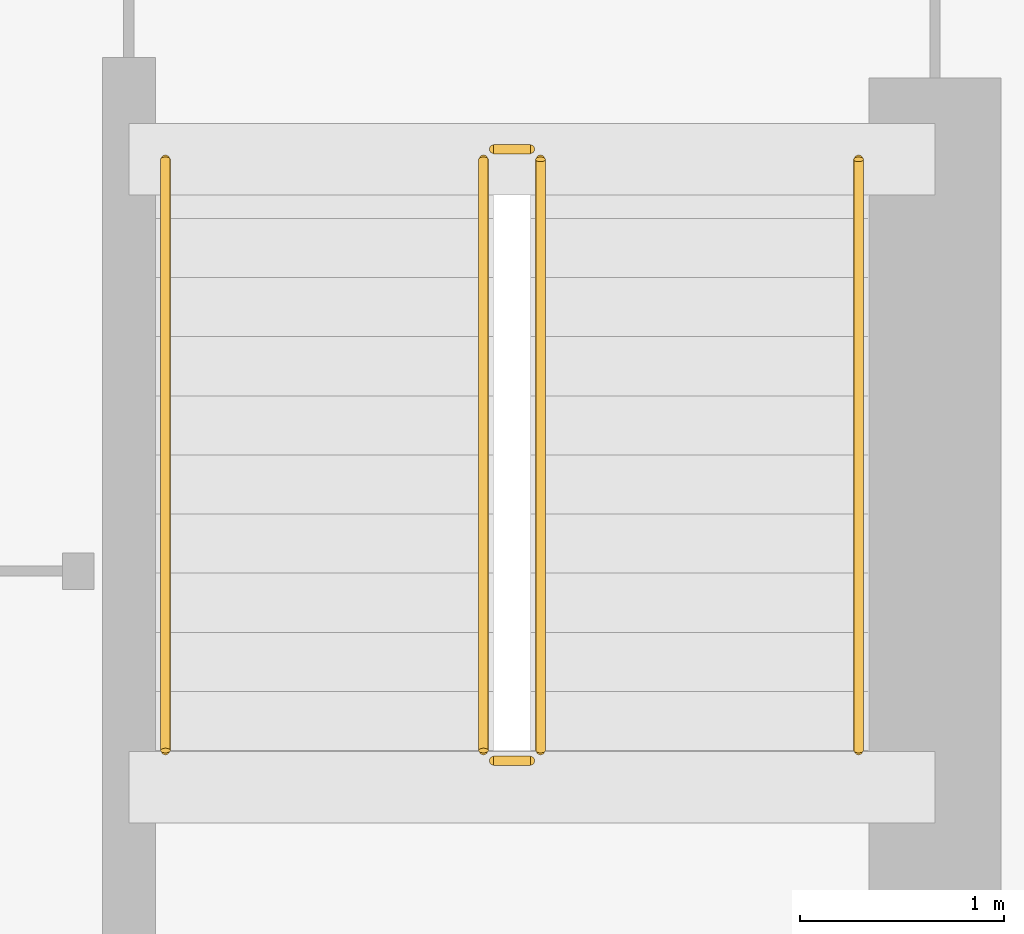
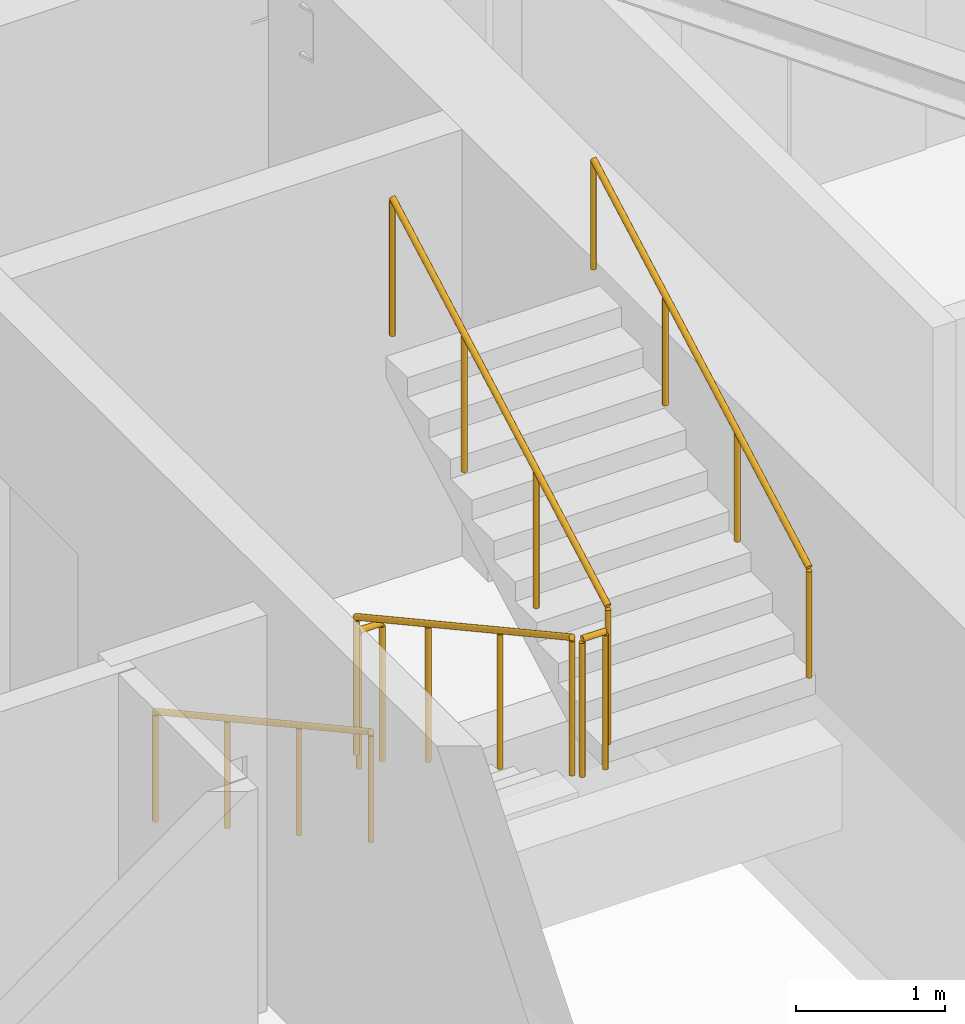
# One storey, part 11 of 11: 6 railings.
"""IFC4 building model written with IfcOpenShell, lengths in metres."""

from ifc_helpers import new_model, si_unit, direction, frame, origin, origin_2d, place, context, subcontext, project, spatial, circle, extrude, material, type_object, element, save


model = new_model("IFC4")

# Units and contexts
model_context = context("Model", 3, precision=1e-05, world=origin(), true_north=direction((0.0, 1.0)))
body_context = subcontext(model_context, "Body", "Model", "MODEL_VIEW")
ifc_project = project(units=[si_unit("LENGTHUNIT", "METRE"), si_unit("AREAUNIT", "SQUARE_METRE"), si_unit("VOLUMEUNIT", "CUBIC_METRE"), si_unit("PLANEANGLEUNIT", "RADIAN"), si_unit("MASSUNIT", "GRAM", prefix="KILO")], contexts=[model_context])

# Site, building, storey
site_placement = place(None, origin())
site = spatial("IfcSite", under=ifc_project, at=site_placement, CompositionType="ELEMENT")
building_placement = place(site_placement, origin())
building = spatial("IfcBuilding", under=site, at=building_placement, Name="Calvemar Wedge Station Tower", CompositionType="ELEMENT")
storey_placement = place(building_placement, frame((0.0, 0.0, 190.39990234375)))
storey = spatial("IfcBuildingStorey", under=building, at=storey_placement, Name="L47", CompositionType="ELEMENT", Elevation=190.39990234375)

# Railings
ifc_material_1 = material(Name="Stainless steel AISI 316L", Category="steel")
railing_type_1 = type_object("IfcRailingType", Name="RL-HANDRAIL-920", PredefinedType="HANDRAIL", material=ifc_material_1)
railing_1_placement = place(storey_placement, frame((27.550048828125, 41.14990234375, 0.1591796875)))
element("IfcRailing", 1, at=railing_1_placement, inside=storey, type_object=railing_type_1, Name="L47 ST-C2 stair handrail 1", PredefinedType="HANDRAIL", context=body_context, shape_type="SweptSolid", body=[
    extrude(circle(Radius=0.02392578125, at=origin_2d()), frame((0.0, 0.0, 0.89599609375), z_axis=(0.0, -0.876742130028, 0.480960744171), x_axis=(1.0, 0.0, 0.0)), (0.0, 0.0, 1.0), 3.3076171875),
    extrude(circle(Radius=0.02099609375, at=origin_2d()), origin(), (0.0, 0.0, 1.0), 0.871826171875),
    extrude(circle(Radius=0.02099609375, at=origin_2d()), frame((0.0, -0.966552734375, 0.5302734375)), (0.0, 0.0, 1.0), 0.871826171875),
    extrude(circle(Radius=0.02099609375, at=origin_2d()), frame((0.0, -1.933349609375, 1.060546875)), (0.0, 0.0, 1.0), 0.871826171875),
    extrude(circle(Radius=0.02099609375, at=origin_2d()), frame((0.0, -2.89990234375, 1.5908203125)), (0.0, 0.0, 1.0), 0.871826171875),
])
railing_2_placement = place(storey_placement, frame((30.949951171875, 38.25, 1.9091796875)))
element("IfcRailing", 2, at=railing_2_placement, inside=storey, type_object=railing_type_1, Name="L47 ST-C2 stair handrail 2", PredefinedType="HANDRAIL", context=body_context, shape_type="SweptSolid", body=[
    extrude(circle(Radius=0.02392578125, at=origin_2d()), frame((0.0, 0.0, 0.89599609375), z_axis=(0.0, 0.876742130028, 0.480960744171), x_axis=(-1.0, 0.0, 0.0)), (0.0, 0.0, 1.0), 3.3076171875),
    extrude(circle(Radius=0.02099609375, at=origin_2d()), origin(), (0.0, 0.0, 1.0), 0.871826171875),
    extrude(circle(Radius=0.02099609375, at=origin_2d()), frame((0.0, 0.966552734375, 0.5302734375)), (0.0, 0.0, 1.0), 0.871826171875),
    extrude(circle(Radius=0.02099609375, at=origin_2d()), frame((0.0, 1.933349609375, 1.060546875)), (0.0, 0.0, 1.0), 0.871826171875),
    extrude(circle(Radius=0.02099609375, at=origin_2d()), frame((0.0, 2.89990234375, 1.5908203125)), (0.0, 0.0, 1.0), 0.871826171875),
])
ifc_material_2 = material(Name="Painted steel guardrail ASTM A500 Grade C", Category="steel")
railing_type_2 = type_object("IfcRailingType", Name="RL-STAIR-GUARD-1150", PredefinedType="GUARDRAIL", material=ifc_material_2)
railing_3_placement = place(storey_placement, frame((29.110107421875, 41.14990234375, 0.1591796875)))
element("IfcRailing", 3, at=railing_3_placement, inside=storey, type_object=railing_type_2, Name="L47 ST-C2 stair guard 1", PredefinedType="GUARDRAIL", context=body_context, shape_type="SweptSolid", body=[
    extrude(circle(Radius=0.02392578125, at=origin_2d()), frame((0.0, 0.0, 1.1259765625), z_axis=(0.0, -0.876742130028, 0.480960744171), x_axis=(1.0, 0.0, 0.0)), (0.0, 0.0, 1.0), 3.3076171875),
    extrude(circle(Radius=0.02099609375, at=origin_2d()), origin(), (0.0, 0.0, 1.0), 1.101806640625),
    extrude(circle(Radius=0.02099609375, at=origin_2d()), frame((0.0, -0.966552734375, 0.5302734375)), (0.0, 0.0, 1.0), 1.101806640625),
    extrude(circle(Radius=0.02099609375, at=origin_2d()), frame((0.0, -1.933349609375, 1.060546875)), (0.0, 0.0, 1.0), 1.101806640625),
    extrude(circle(Radius=0.02099609375, at=origin_2d()), frame((0.0, -2.89990234375, 1.5908203125)), (0.0, 0.0, 1.0), 1.101806640625),
])
railing_4_placement = place(storey_placement, frame((29.159912109375, 38.199951171875, 1.75)))
element("IfcRailing", 4, at=railing_4_placement, inside=storey, type_object=railing_type_2, Name="L47 ST-C2 stair guard 2", PredefinedType="GUARDRAIL", context=body_context, shape_type="SweptSolid", body=[
    extrude(circle(Radius=0.02392578125, at=origin_2d()), frame((0.0, 0.0, 1.1259765625), z_axis=(1.0, 0.0, 0.0), x_axis=(0.0, 1.0, 0.0)), (0.0, 0.0, 1.0), 0.18017578125),
    extrude(circle(Radius=0.02099609375, at=origin_2d()), origin(), (0.0, 0.0, 1.0), 1.101806640625),
    extrude(circle(Radius=0.02099609375, at=origin_2d()), frame((0.18017578125, 0.0, 0.0)), (0.0, 0.0, 1.0), 1.101806640625),
])
railing_5_placement = place(storey_placement, frame((29.389892578125, 38.25, 1.9091796875)))
element("IfcRailing", 5, at=railing_5_placement, inside=storey, type_object=railing_type_2, Name="L47 ST-C2 stair guard 3", PredefinedType="GUARDRAIL", context=body_context, shape_type="SweptSolid", body=[
    extrude(circle(Radius=0.02392578125, at=origin_2d()), frame((0.0, 0.0, 1.1259765625), z_axis=(0.0, 0.876742130028, 0.480960744171), x_axis=(-1.0, 0.0, 0.0)), (0.0, 0.0, 1.0), 3.3076171875),
    extrude(circle(Radius=0.02099609375, at=origin_2d()), origin(), (0.0, 0.0, 1.0), 1.101806640625),
    extrude(circle(Radius=0.02099609375, at=origin_2d()), frame((0.0, 0.966552734375, 0.5302734375)), (0.0, 0.0, 1.0), 1.101806640625),
    extrude(circle(Radius=0.02099609375, at=origin_2d()), frame((0.0, 1.933349609375, 1.060546875)), (0.0, 0.0, 1.0), 1.101806640625),
    extrude(circle(Radius=0.02099609375, at=origin_2d()), frame((0.0, 2.89990234375, 1.5908203125)), (0.0, 0.0, 1.0), 1.101806640625),
])
railing_6_placement = place(storey_placement, frame((29.159912109375, 41.199951171875, 0.0)))
element("IfcRailing", 6, at=railing_6_placement, inside=storey, type_object=railing_type_2, Name="L47 ST-C2 stair guard 4", PredefinedType="GUARDRAIL", context=body_context, shape_type="SweptSolid", body=[
    extrude(circle(Radius=0.02392578125, at=origin_2d()), frame((0.0, 0.0, 1.1259765625), z_axis=(1.0, 0.0, 0.0), x_axis=(0.0, 1.0, 0.0)), (0.0, 0.0, 1.0), 0.18017578125),
    extrude(circle(Radius=0.02099609375, at=origin_2d()), origin(), (0.0, 0.0, 1.0), 1.101806640625),
    extrude(circle(Radius=0.02099609375, at=origin_2d()), frame((0.18017578125, 0.0, 0.0)), (0.0, 0.0, 1.0), 1.101806640625),
])

save(model, "model.ifc")
